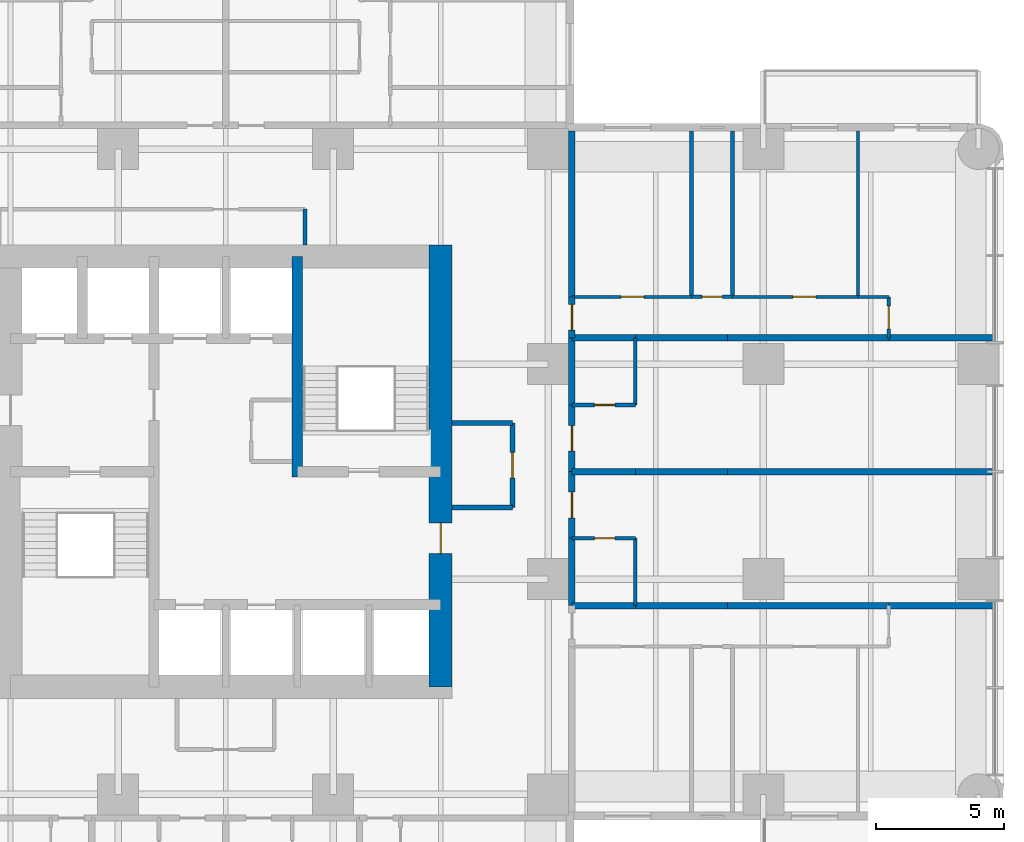
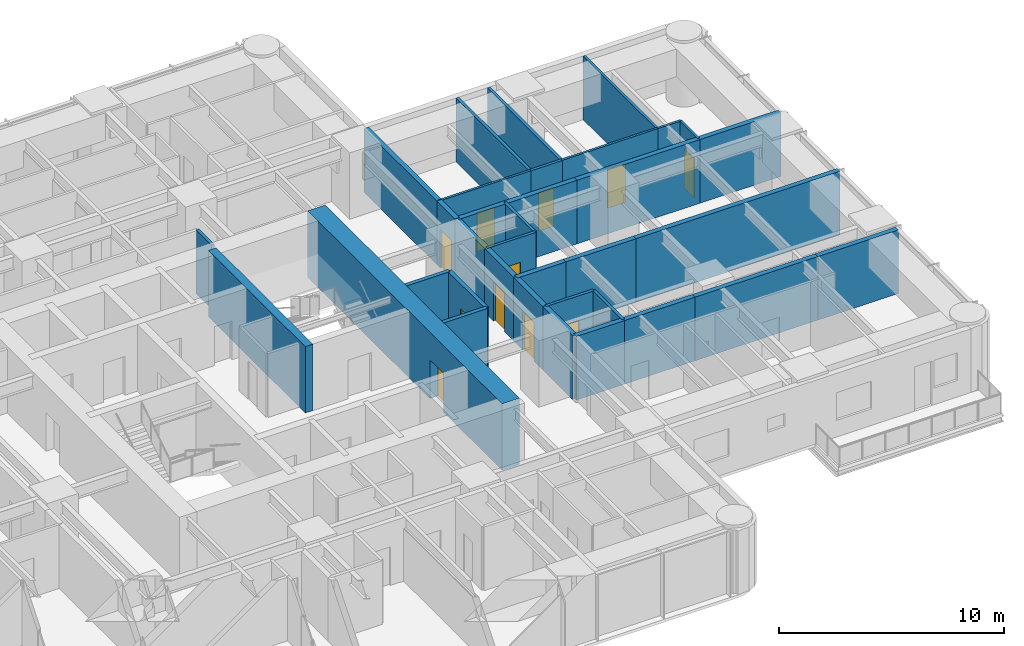
# One storey, part 10 of 14: 35 walls, 11 doors, 11 openings.
"""IFC4 building model written with IfcOpenShell, lengths in metres."""

from ifc_helpers import new_model, si_unit, direction, frame, frame_2d, origin, place, context, subcontext, project, spatial, rectangle, extrude, material, layer, layer_set, type_object, element, fill, save


model = new_model("IFC4")

# Units and contexts
model_context = context("Model", 3, precision=1e-05, world=origin(), true_north=direction((0.0, 1.0)))
body_context = subcontext(model_context, "Body", "Model", "MODEL_VIEW")
ifc_project = project(units=[si_unit("LENGTHUNIT", "METRE"), si_unit("AREAUNIT", "SQUARE_METRE"), si_unit("VOLUMEUNIT", "CUBIC_METRE"), si_unit("PLANEANGLEUNIT", "RADIAN"), si_unit("MASSUNIT", "GRAM", prefix="KILO")], contexts=[model_context])

# Site, building, storey
site_placement = place(None, origin())
site = spatial("IfcSite", under=ifc_project, at=site_placement, CompositionType="ELEMENT")
building_placement = place(site_placement, origin())
building = spatial("IfcBuilding", under=site, at=building_placement, Name="Torre Alcanfor", CompositionType="ELEMENT")
storey_placement = place(building_placement, frame((0.0, 0.0, 155.699951171875)))
storey = spatial("IfcBuildingStorey", under=building, at=storey_placement, Name="L40", CompositionType="ELEMENT", Elevation=155.699951171875)

# Wall, opening, door
ifc_material_1 = material(Name="Concrete block masonry, hollow blocks NMX-C-404 9 MPa", Category="masonry")
ifc_layer_1 = layer(ifc_material_1, 0.25)
ifc_layer_set_1 = layer_set([ifc_layer_1], Name="Apartment entrance wall 250 EI 60")
wall_type_1 = type_object("IfcWallType", Name="Apartment entrance wall 250 EI 60", PredefinedType="PARTITIONING", material=ifc_layer_set_1)
wall_1_placement = place(storey_placement, frame((42.925048828125, 32.0, 0.0), z_axis=(0.0, 0.0, 1.0), x_axis=(0.0, -1.0, 0.0)))
wall_1 = element("IfcWall", 1, at=wall_1_placement, inside=storey, type_object=wall_type_1, Name="Partition L40-CORR / L40-E1A-FOYER", PredefinedType="PARTITIONING", context=body_context, shape_type="SweptSolid", body=[
    extrude(rectangle(XDim=2.60009765625, YDim=0.25, at=frame_2d((1.300048828125, 0.0))), origin(), (0.0, 0.0, 1.0), 3.449951171875),
])
opening_1_placement = place(wall_1_placement, frame((0.800048828125, 0.0, 0.0)))
opening_1 = element("IfcOpeningElement", 2, at=opening_1_placement, cuts=wall_1, Name="Opening D-A1", PredefinedType="OPENING", context=body_context, shape_type="SweptSolid", body=[
    extrude(rectangle(XDim=1.0, YDim=2.10009765625, at=frame_2d((0.5, 1.050048828125))), frame((0.0, 0.135009765625, 0.0), z_axis=(0.0, -1.0, 0.0), x_axis=(1.0, 0.0, 0.0)), (0.0, 0.0, 1.0), 0.27001953125),
])
ifc_material_2 = material(Name="Galvanised steel sheet ASTM A653", Category="steel")
door_type_1 = type_object("IfcDoorType", Name="Apartment entrance door FD60 1000x2100", OperationType="SINGLE_SWING_LEFT", PredefinedType="DOOR", material=ifc_material_2)
door_1_placement = place(opening_1_placement, origin())
door_1 = element("IfcDoor", 3, at=door_1_placement, inside=storey, type_object=door_type_1, Name="Apartment entrance L40-E1A", OperationType="SINGLE_SWING_LEFT", OverallHeight=2.10009765625, OverallWidth=1.0, PredefinedType="DOOR", context=body_context, shape_type="SweptSolid", body=[
    extrude(rectangle(XDim=1.0, YDim=2.10009765625, at=frame_2d((0.5, 1.050048828125))), frame((0.0, 0.02490234375, 0.0), z_axis=(0.0, -1.0, 0.0), x_axis=(1.0, 0.0, 0.0)), (0.0, 0.0, 1.0), 0.050048828125),
])
fill(opening_1, door_1)

# Wall
wall_2_placement = place(storey_placement, frame((42.925048828125, 34.62890625, 0.0), z_axis=(0.0, 0.0, 1.0), x_axis=(0.0, -1.0, 0.0)))
element("IfcWall", 4, at=wall_2_placement, inside=storey, type_object=wall_type_1, Name="Partition L40-CORR / L40-E1A-BATH", PredefinedType="PARTITIONING", context=body_context, shape_type="SweptSolid", body=[
    extrude(rectangle(XDim=2.62890625, YDim=0.25, at=frame_2d((1.314453125, 0.0))), origin(), (0.0, 0.0, 1.0), 3.449951171875),
])

# Wall, opening, door
wall_3_placement = place(storey_placement, frame((42.925048828125, 36.22900390625, 0.0), z_axis=(0.0, 0.0, 1.0), x_axis=(0.0, -1.0, 0.0)))
wall_3 = element("IfcWall", 5, at=wall_3_placement, inside=storey, type_object=wall_type_1, Name="Partition L40-CORR / L40-E1B-HALL", PredefinedType="PARTITIONING", context=body_context, shape_type="SweptSolid", body=[
    extrude(rectangle(XDim=1.60009765625, YDim=0.25, at=frame_2d((0.800048828125, 0.0))), origin(), (0.0, 0.0, 1.0), 3.449951171875),
])
opening_2_placement = place(wall_3_placement, frame((0.300048828125, 0.0, 0.0)))
opening_2 = element("IfcOpeningElement", 6, at=opening_2_placement, cuts=wall_3, Name="Opening D-A1", PredefinedType="OPENING", context=body_context, shape_type="SweptSolid", body=[
    extrude(rectangle(XDim=1.0, YDim=2.10009765625, at=frame_2d((0.5, 1.050048828125))), frame((0.0, 0.135009765625, 0.0), z_axis=(0.0, -1.0, 0.0), x_axis=(1.0, 0.0, 0.0)), (0.0, 0.0, 1.0), 0.27001953125),
])
door_2_placement = place(opening_2_placement, origin())
door_2 = element("IfcDoor", 7, at=door_2_placement, inside=storey, type_object=door_type_1, Name="Apartment entrance L40-E1B", OperationType="SINGLE_SWING_LEFT", OverallHeight=2.10009765625, OverallWidth=1.0, PredefinedType="DOOR", context=body_context, shape_type="SweptSolid", body=[
    extrude(rectangle(XDim=1.0, YDim=2.10009765625, at=frame_2d((0.5, 1.050048828125))), frame((0.0, 0.02490234375, 0.0), z_axis=(0.0, -1.0, 0.0), x_axis=(1.0, 0.0, 0.0)), (0.0, 0.0, 1.0), 0.050048828125),
])
fill(opening_2, door_2)

# Wall
wall_4_placement = place(storey_placement, frame((42.925048828125, 42.699951171875, 0.0), z_axis=(0.0, 0.0, 1.0), x_axis=(0.0, -1.0, 0.0)))
element("IfcWall", 8, at=wall_4_placement, inside=storey, type_object=wall_type_1, Name="Partition L40-CORR / L40-E1B-BED2", PredefinedType="PARTITIONING", context=body_context, shape_type="SweptSolid", body=[
    extrude(rectangle(XDim=6.470947265625, YDim=0.25, at=frame_2d((3.2353515625, 0.0))), origin(), (0.0, 0.0, 1.0), 3.449951171875),
])

# Wall, opening, door
wall_5_placement = place(storey_placement, frame((42.925048828125, 29.39990234375, 0.0), z_axis=(0.0, 0.0, 1.0), x_axis=(0.0, -1.0, 0.0)))
wall_5 = element("IfcWall", 9, at=wall_5_placement, inside=storey, type_object=wall_type_1, Name="Partition L40-CORR / L40-E2A-FOYER", PredefinedType="PARTITIONING", context=body_context, shape_type="SweptSolid", body=[
    extrude(rectangle(XDim=2.599853515625, YDim=0.25, at=frame_2d((1.2998046875, 0.0))), origin(), (0.0, 0.0, 1.0), 3.449951171875),
])
opening_3_placement = place(wall_5_placement, frame((0.800048828125, 0.0, 0.0)))
opening_3 = element("IfcOpeningElement", 10, at=opening_3_placement, cuts=wall_5, Name="Opening D-A1", PredefinedType="OPENING", context=body_context, shape_type="SweptSolid", body=[
    extrude(rectangle(XDim=1.0, YDim=2.10009765625, at=frame_2d((0.5, 1.050048828125))), frame((0.0, 0.135009765625, 0.0), z_axis=(0.0, -1.0, 0.0), x_axis=(1.0, 0.0, 0.0)), (0.0, 0.0, 1.0), 0.27001953125),
])
door_3_placement = place(opening_3_placement, origin())
door_3 = element("IfcDoor", 11, at=door_3_placement, inside=storey, type_object=door_type_1, Name="Apartment entrance L40-E2A", OperationType="SINGLE_SWING_LEFT", OverallHeight=2.10009765625, OverallWidth=1.0, PredefinedType="DOOR", context=body_context, shape_type="SweptSolid", body=[
    extrude(rectangle(XDim=1.0, YDim=2.10009765625, at=frame_2d((0.5, 1.050048828125))), frame((0.0, 0.02490234375, 0.0), z_axis=(0.0, -1.0, 0.0), x_axis=(1.0, 0.0, 0.0)), (0.0, 0.0, 1.0), 0.050048828125),
])
fill(opening_3, door_3)

# Wall
wall_6_placement = place(storey_placement, frame((42.925048828125, 26.800048828125, 0.0), z_axis=(0.0, 0.0, 1.0), x_axis=(0.0, -1.0, 0.0)))
element("IfcWall", 12, at=wall_6_placement, inside=storey, type_object=wall_type_1, Name="Partition L40-CORR / L40-E2A-BATH", PredefinedType="PARTITIONING", context=body_context, shape_type="SweptSolid", body=[
    extrude(rectangle(XDim=2.629150390625, YDim=0.25, at=frame_2d((1.314453125, 0.0))), origin(), (0.0, 0.0, 1.0), 3.449951171875),
])

# Wall, opening, door
ifc_material_3 = material(Name="Gypsum board on steel studs", Category="steel")
ifc_layer_2 = layer(ifc_material_3, 0.1201171875)
ifc_layer_set_2 = layer_set([ifc_layer_2], Name="Apartment partition 120")
wall_type_2 = type_object("IfcWallType", Name="Apartment partition 120", PredefinedType="PARTITIONING", material=ifc_layer_set_2)
wall_7_placement = place(storey_placement, frame((47.60009765625, 36.22900390625, 0.0), z_axis=(0.0, 0.0, 1.0), x_axis=(-1.0, 0.0, 0.0)))
wall_7 = element("IfcWall", 13, at=wall_7_placement, inside=storey, type_object=wall_type_2, Name="Partition L40-E1B-HALL / L40-E1B-BED2", PredefinedType="PARTITIONING", context=body_context, shape_type="SweptSolid", body=[
    extrude(rectangle(XDim=4.675048828125, YDim=0.1201171875, at=frame_2d((2.33740234375, 0.0))), origin(), (0.0, 0.0, 1.0), 3.449951171875),
])
opening_4_placement = place(wall_7_placement, frame((1.85009765625, 0.0, 0.0)))
opening_4 = element("IfcOpeningElement", 14, at=opening_4_placement, cuts=wall_7, Name="Opening D-R1", PredefinedType="OPENING", context=body_context, shape_type="SweptSolid", body=[
    extrude(rectangle(XDim=0.89990234375, YDim=2.10009765625, at=frame_2d((0.449951171875, 1.050048828125))), frame((0.0, 0.070068359375, 0.0), z_axis=(0.0, -1.0, 0.0), x_axis=(1.0, 0.0, 0.0)), (0.0, 0.0, 1.0), 0.14013671875),
])
ifc_material_4 = material(Name="Timber", Category="wood")
door_type_2 = type_object("IfcDoorType", Name="Internal door 900x2100", OperationType="SINGLE_SWING_LEFT", PredefinedType="DOOR", material=ifc_material_4)
door_4_placement = place(opening_4_placement, frame((0.89990234375, 0.0, 0.0), z_axis=(0.0, 0.0, 1.0), x_axis=(-1.0, 0.0, 0.0)))
door_4 = element("IfcDoor", 15, at=door_4_placement, inside=storey, type_object=door_type_2, Name="Door L40-E1B bed2", OperationType="SINGLE_SWING_RIGHT", OverallHeight=2.10009765625, OverallWidth=0.89990234375, PredefinedType="DOOR", context=body_context, shape_type="SweptSolid", body=[
    extrude(rectangle(XDim=0.89990234375, YDim=2.10009765625, at=frame_2d((0.449951171875, 1.050048828125))), frame((0.0, 0.025146484375, 0.0), z_axis=(0.0, -1.0, 0.0), x_axis=(1.0, 0.0, 0.0)), (0.0, 0.0, 1.0), 0.050048828125),
])
fill(opening_4, door_4)

wall_8_placement = place(storey_placement, frame((54.10009765625, 36.22900390625, 0.0), z_axis=(0.0, 0.0, 1.0), x_axis=(-1.0, 0.0, 0.0)))
wall_8 = element("IfcWall", 16, at=wall_8_placement, inside=storey, type_object=wall_type_2, Name="Partition L40-E1B-HALL / L40-E1B-MASTER", PredefinedType="PARTITIONING", context=body_context, shape_type="SweptSolid", body=[
    extrude(rectangle(XDim=4.900146484375, YDim=0.1201171875, at=frame_2d((2.4501953125, 0.0))), origin(), (0.0, 0.0, 1.0), 3.449951171875),
])
opening_5_placement = place(wall_8_placement, frame((1.64990234375, 0.0, 0.0)))
opening_5 = element("IfcOpeningElement", 17, at=opening_5_placement, cuts=wall_8, Name="Opening D-R1", PredefinedType="OPENING", context=body_context, shape_type="SweptSolid", body=[
    extrude(rectangle(XDim=0.89990234375, YDim=2.10009765625, at=frame_2d((0.449951171875, 1.050048828125))), frame((0.0, 0.070068359375, 0.0), z_axis=(0.0, -1.0, 0.0), x_axis=(1.0, 0.0, 0.0)), (0.0, 0.0, 1.0), 0.14013671875),
])
door_5_placement = place(opening_5_placement, frame((0.89990234375, 0.0, 0.0), z_axis=(0.0, 0.0, 1.0), x_axis=(-1.0, 0.0, 0.0)))
door_5 = element("IfcDoor", 18, at=door_5_placement, inside=storey, type_object=door_type_2, Name="Door L40-E1B master", OperationType="SINGLE_SWING_RIGHT", OverallHeight=2.10009765625, OverallWidth=0.89990234375, PredefinedType="DOOR", context=body_context, shape_type="SweptSolid", body=[
    extrude(rectangle(XDim=0.89990234375, YDim=2.10009765625, at=frame_2d((0.449951171875, 1.050048828125))), frame((0.0, 0.025146484375, 0.0), z_axis=(0.0, -1.0, 0.0), x_axis=(1.0, 0.0, 0.0)), (0.0, 0.0, 1.0), 0.050048828125),
])
fill(opening_5, door_5)

# Wall
wall_9_placement = place(storey_placement, frame((55.300048828125, 36.22900390625, 0.0), z_axis=(0.0, 0.0, 1.0), x_axis=(-1.0, 0.0, 0.0)))
element("IfcWall", 19, at=wall_9_placement, inside=storey, type_object=wall_type_2, Name="Partition L40-E1B-HALL / L40-E1B-KITCHEN", PredefinedType="PARTITIONING", context=body_context, shape_type="SweptSolid", body=[
    extrude(rectangle(XDim=1.199951171875, YDim=0.1201171875, at=frame_2d((0.60009765625, 0.0))), origin(), (0.0, 0.0, 1.0), 3.449951171875),
])

# Wall, opening, door
wall_10_placement = place(storey_placement, frame((55.300048828125, 34.62890625, 0.0), z_axis=(0.0, 0.0, 1.0), x_axis=(0.0, 1.0, 0.0)))
wall_10 = element("IfcWall", 20, at=wall_10_placement, inside=storey, type_object=wall_type_2, Name="Partition L40-E1B-HALL / L40-E1B-LIVING", PredefinedType="PARTITIONING", context=body_context, shape_type="SweptSolid", body=[
    extrude(rectangle(XDim=1.60009765625, YDim=0.1201171875, at=frame_2d((0.800048828125, 0.0))), origin(), (0.0, 0.0, 1.0), 3.449951171875),
])
opening_6_placement = place(wall_10_placement, frame((0.35009765625, 0.0, 0.0)))
opening_6 = element("IfcOpeningElement", 21, at=opening_6_placement, cuts=wall_10, Name="Opening D-R1", PredefinedType="OPENING", context=body_context, shape_type="SweptSolid", body=[
    extrude(rectangle(XDim=0.89990234375, YDim=2.10009765625, at=frame_2d((0.449951171875, 1.050048828125))), frame((0.0, 0.070068359375, 0.0), z_axis=(0.0, -1.0, 0.0), x_axis=(1.0, 0.0, 0.0)), (0.0, 0.0, 1.0), 0.14013671875),
])
door_6_placement = place(opening_6_placement, frame((0.89990234375, 0.0, 0.0), z_axis=(0.0, 0.0, 1.0), x_axis=(-1.0, 0.0, 0.0)))
door_6 = element("IfcDoor", 22, at=door_6_placement, inside=storey, type_object=door_type_2, Name="Door L40-E1B living", OperationType="SINGLE_SWING_RIGHT", OverallHeight=2.10009765625, OverallWidth=0.89990234375, PredefinedType="DOOR", context=body_context, shape_type="SweptSolid", body=[
    extrude(rectangle(XDim=0.89990234375, YDim=2.10009765625, at=frame_2d((0.449951171875, 1.050048828125))), frame((0.0, 0.025146484375, 0.0), z_axis=(0.0, -1.0, 0.0), x_axis=(1.0, 0.0, 0.0)), (0.0, 0.0, 1.0), 0.050048828125),
])
fill(opening_6, door_6)

# Walls
wall_11_placement = place(storey_placement, frame((54.10009765625, 36.22900390625, 0.0), z_axis=(0.0, 0.0, 1.0), x_axis=(0.0, 1.0, 0.0)))
element("IfcWall", 23, at=wall_11_placement, inside=storey, type_object=wall_type_2, Name="Partition L40-E1B-MASTER / L40-E1B-KITCHEN", PredefinedType="PARTITIONING", context=body_context, shape_type="SweptSolid", body=[
    extrude(rectangle(XDim=6.470947265625, YDim=0.1201171875, at=frame_2d((3.2353515625, 0.0))), origin(), (0.0, 0.0, 1.0), 3.449951171875),
])
ifc_material_5 = material(Name="Concrete f'c 70 MPa", Category="concrete")
ifc_layer_3 = layer(ifc_material_5, 0.39990234375)
ifc_layer_set_3 = layer_set([ifc_layer_3], Name="Core inner wall 400 f'c70")
wall_type_3 = type_object("IfcWallType", Name="Core inner wall 400 f'c70", PredefinedType="SHEAR", material=ifc_layer_set_3)
wall_12_placement = place(storey_placement, frame((32.199951171875, 29.199951171875, 0.0), z_axis=(0.0, 0.0, 1.0), x_axis=(0.0, 1.0, 0.0)))
element("IfcWall", 24, at=wall_12_placement, inside=storey, type_object=wall_type_3, Name="Core wall X322N L40", PredefinedType="SHEAR", context=body_context, shape_type="SweptSolid", body=[
    extrude(rectangle(XDim=8.60009765625, YDim=0.39990234375, at=frame_2d((4.300048828125, 0.0))), origin(), (0.0, 0.0, 1.0), 3.60009765625),
])

# Wall, opening, door
ifc_material_6 = material(Name="Concrete f'c 70 MPa", Category="concrete")
ifc_layer_4 = layer(ifc_material_6, 0.89990234375)
ifc_layer_set_4 = layer_set([ifc_layer_4], Name="Core wall 900 f'c70")
wall_type_4 = type_object("IfcWallType", Name="Core wall 900 f'c70", PredefinedType="SHEAR", material=ifc_layer_set_4)
wall_13_placement = place(storey_placement, frame((37.800048828125, 21.0, 0.0), z_axis=(0.0, 0.0, 1.0), x_axis=(0.0, 1.0, 0.0)))
wall_13 = element("IfcWall", 25, at=wall_13_placement, inside=storey, type_object=wall_type_4, Name="Core wall OUT-E L40", PredefinedType="SHEAR", context=body_context, shape_type="SweptSolid", body=[
    extrude(rectangle(XDim=17.25, YDim=0.89990234375, at=frame_2d((8.625, 0.0))), origin(), (0.0, 0.0, 1.0), 3.60009765625),
])
opening_7_placement = place(wall_13_placement, frame((5.199951171875, 0.0, 0.0)))
opening_7 = element("IfcOpeningElement", 26, at=opening_7_placement, cuts=wall_13, Name="Opening D-L1", PredefinedType="OPENING", context=body_context, shape_type="SweptSolid", body=[
    extrude(rectangle(XDim=1.199951171875, YDim=2.10009765625, at=frame_2d((0.60009765625, 1.050048828125))), frame((0.0, 0.4599609375, 0.0), z_axis=(0.0, -1.0, 0.0), x_axis=(1.0, 0.0, 0.0)), (0.0, 0.0, 1.0), 0.919921875),
])
ifc_material_7 = material(Name="Galvanised steel sheet ASTM A653", Category="steel")
door_type_3 = type_object("IfcDoorType", Name="Lobby door FD120 1200x2100", OperationType="SINGLE_SWING_LEFT", PredefinedType="DOOR", material=ifc_material_7)
door_7_placement = place(opening_7_placement, origin())
door_7 = element("IfcDoor", 27, at=door_7_placement, inside=storey, type_object=door_type_3, Name="Lift lobby entrance door L40", OperationType="SINGLE_SWING_LEFT", OverallHeight=2.10009765625, OverallWidth=1.199951171875, PredefinedType="DOOR", context=body_context, shape_type="SweptSolid", body=[
    extrude(rectangle(XDim=1.199951171875, YDim=2.10009765625, at=frame_2d((0.60009765625, 1.050048828125))), frame((0.0, 0.02490234375, 0.0), z_axis=(0.0, -1.0, 0.0), x_axis=(1.0, 0.0, 0.0)), (0.0, 0.0, 1.0), 0.050048828125),
])
fill(opening_7, door_7)

# Walls
ifc_material_8 = material(Name="Concrete block masonry, hollow blocks NMX-C-404 9 MPa", Category="masonry")
ifc_layer_5 = layer(ifc_material_8, 0.25)
ifc_layer_set_5 = layer_set([ifc_layer_5], Name="Party wall 250 EI 60")
wall_type_5 = type_object("IfcWallType", Name="Party wall 250 EI 60", PredefinedType="PARTITIONING", material=ifc_layer_set_5)
for number, where, z_axis, x_axis, name in (
    (28, (42.925048828125, 29.39990234375, 0.0), (0.0, 0.0, 1.0), (1.0, 0.0, 0.0), "Partition L40-E1A-FOYER / L40-E2A-FOYER"),
    (29, (45.39990234375, 34.62890625, 0.0), (0.0, 0.0, 1.0), (-1.0, 0.0, 0.0), "Partition L40-E1A-BATH / L40-E1B-HALL"),
):
    element("IfcWall", number, at=place(storey_placement, frame(where, z_axis=z_axis, x_axis=x_axis)), inside=storey, type_object=wall_type_5, Name=name, PredefinedType="PARTITIONING", context=body_context, shape_type="SweptSolid", body=[
        extrude(rectangle(XDim=2.474853515625, YDim=0.25, at=frame_2d((1.2373046875, 0.0))), origin(), (0.0, 0.0, 1.0), 3.449951171875),
    ])
for number, where, z_axis, x_axis, name in (
    (30, (49.0, 34.62890625, 0.0), (0.0, 0.0, 1.0), (-1.0, 0.0, 0.0), "Partition L40-E1A-KITCHEN / L40-E1B-HALL"),
    (31, (45.39990234375, 29.39990234375, 0.0), (0.0, 0.0, 1.0), (1.0, 0.0, 0.0), "Partition L40-E1A-KITCHEN / L40-E2A-KITCHEN"),
):
    element("IfcWall", number, at=place(storey_placement, frame(where, z_axis=z_axis, x_axis=x_axis)), inside=storey, type_object=wall_type_5, Name=name, PredefinedType="PARTITIONING", context=body_context, shape_type="SweptSolid", body=[
        extrude(rectangle(XDim=3.60009765625, YDim=0.25, at=frame_2d((1.800048828125, 0.0))), origin(), (0.0, 0.0, 1.0), 3.449951171875),
    ])
wall_14_placement = place(storey_placement, frame((55.300048828125, 34.62890625, 0.0), z_axis=(0.0, 0.0, 1.0), x_axis=(-1.0, 0.0, 0.0)))
element("IfcWall", 32, at=wall_14_placement, inside=storey, type_object=wall_type_5, Name="Partition L40-E1A-STUDIO / L40-E1B-HALL", PredefinedType="PARTITIONING", context=body_context, shape_type="SweptSolid", body=[
    extrude(rectangle(XDim=6.300048828125, YDim=0.25, at=frame_2d((3.14990234375, 0.0))), origin(), (0.0, 0.0, 1.0), 3.449951171875),
])
wall_15_placement = place(storey_placement, frame((59.449951171875, 34.62890625, 0.0), z_axis=(0.0, 0.0, 1.0), x_axis=(-1.0, 0.0, 0.0)))
element("IfcWall", 33, at=wall_15_placement, inside=storey, type_object=wall_type_5, Name="Partition L40-E1A-STUDIO / L40-E1B-LIVING", PredefinedType="PARTITIONING", context=body_context, shape_type="SweptSolid", body=[
    extrude(rectangle(XDim=4.14990234375, YDim=0.25, at=frame_2d((2.074951171875, 0.0))), origin(), (0.0, 0.0, 1.0), 3.449951171875),
])
wall_16_placement = place(storey_placement, frame((49.0, 29.39990234375, 0.0), z_axis=(0.0, 0.0, 1.0), x_axis=(1.0, 0.0, 0.0)))
element("IfcWall", 34, at=wall_16_placement, inside=storey, type_object=wall_type_5, Name="Partition L40-E1A-STUDIO / L40-E2A-STUDIO", PredefinedType="PARTITIONING", context=body_context, shape_type="SweptSolid", body=[
    extrude(rectangle(XDim=10.449951171875, YDim=0.25, at=frame_2d((5.22509765625, 0.0))), origin(), (0.0, 0.0, 1.0), 3.449951171875),
])
wall_17_placement = place(storey_placement, frame((45.39990234375, 24.1708984375, 0.0), z_axis=(0.0, 0.0, 1.0), x_axis=(-1.0, 0.0, 0.0)))
element("IfcWall", 35, at=wall_17_placement, inside=storey, type_object=wall_type_5, Name="Partition L40-E2A-BATH / L40-E2B-HALL", PredefinedType="PARTITIONING", context=body_context, shape_type="SweptSolid", body=[
    extrude(rectangle(XDim=2.474853515625, YDim=0.25, at=frame_2d((1.2373046875, 0.0))), origin(), (0.0, 0.0, 1.0), 3.449951171875),
])
wall_18_placement = place(storey_placement, frame((49.0, 24.1708984375, 0.0), z_axis=(0.0, 0.0, 1.0), x_axis=(-1.0, 0.0, 0.0)))
element("IfcWall", 36, at=wall_18_placement, inside=storey, type_object=wall_type_5, Name="Partition L40-E2A-KITCHEN / L40-E2B-HALL", PredefinedType="PARTITIONING", context=body_context, shape_type="SweptSolid", body=[
    extrude(rectangle(XDim=3.60009765625, YDim=0.25, at=frame_2d((1.800048828125, 0.0))), origin(), (0.0, 0.0, 1.0), 3.449951171875),
])
wall_19_placement = place(storey_placement, frame((55.300048828125, 24.1708984375, 0.0), z_axis=(0.0, 0.0, 1.0), x_axis=(-1.0, 0.0, 0.0)))
element("IfcWall", 37, at=wall_19_placement, inside=storey, type_object=wall_type_5, Name="Partition L40-E2A-STUDIO / L40-E2B-HALL", PredefinedType="PARTITIONING", context=body_context, shape_type="SweptSolid", body=[
    extrude(rectangle(XDim=6.300048828125, YDim=0.25, at=frame_2d((3.14990234375, 0.0))), origin(), (0.0, 0.0, 1.0), 3.449951171875),
])
wall_20_placement = place(storey_placement, frame((59.449951171875, 24.1708984375, 0.0), z_axis=(0.0, 0.0, 1.0), x_axis=(-1.0, 0.0, 0.0)))
element("IfcWall", 38, at=wall_20_placement, inside=storey, type_object=wall_type_5, Name="Partition L40-E2A-STUDIO / L40-E2B-LIVING", PredefinedType="PARTITIONING", context=body_context, shape_type="SweptSolid", body=[
    extrude(rectangle(XDim=4.14990234375, YDim=0.25, at=frame_2d((2.074951171875, 0.0))), origin(), (0.0, 0.0, 1.0), 3.449951171875),
])
ifc_material_9 = material(Name="Concrete block masonry, hollow blocks NMX-C-404 9 MPa", Category="masonry")
ifc_layer_6 = layer(ifc_material_9, 0.199951171875)
ifc_layer_set_6 = layer_set([ifc_layer_6], Name="Plant room wall 200 EI 60")
wall_type_6 = type_object("IfcWallType", Name="Plant room wall 200 EI 60", PredefinedType="PARTITIONING", material=ifc_layer_set_6)
wall_21_placement = place(storey_placement, frame((38.25, 28.0, 0.0), z_axis=(0.0, 0.0, 1.0), x_axis=(1.0, 0.0, 0.0)))
element("IfcWall", 39, at=wall_21_placement, inside=storey, type_object=wall_type_6, Name="Partition L40-CORR / L40-G02", PredefinedType="PARTITIONING", context=body_context, shape_type="SweptSolid", body=[
    extrude(rectangle(XDim=2.35009765625, YDim=0.199951171875, at=frame_2d((1.175048828125, 0.0))), origin(), (0.0, 0.0, 1.0), 3.449951171875),
])

# Wall, opening, door
wall_22_placement = place(storey_placement, frame((40.60009765625, 28.0, 0.0), z_axis=(0.0, 0.0, 1.0), x_axis=(0.0, 1.0, 0.0)))
wall_22 = element("IfcWall", 40, at=wall_22_placement, inside=storey, type_object=wall_type_6, Name="Partition L40-CORR / L40-G02", PredefinedType="PARTITIONING", context=body_context, shape_type="SweptSolid", body=[
    extrude(rectangle(XDim=3.300048828125, YDim=0.199951171875, at=frame_2d((1.64990234375, 0.0))), origin(), (0.0, 0.0, 1.0), 3.449951171875),
])
opening_8_placement = place(wall_22_placement, frame((1.14990234375, 0.0, 0.0)))
opening_8 = element("IfcOpeningElement", 41, at=opening_8_placement, cuts=wall_22, Name="Opening D-K1", PredefinedType="OPENING", context=body_context, shape_type="SweptSolid", body=[
    extrude(rectangle(XDim=1.0, YDim=2.10009765625, at=frame_2d((0.5, 1.050048828125))), frame((0.0, 0.10986328125, 0.0), z_axis=(0.0, -1.0, 0.0), x_axis=(1.0, 0.0, 0.0)), (0.0, 0.0, 1.0), 0.219970703125),
])
ifc_material_10 = material(Name="Galvanised steel sheet ASTM A653", Category="steel")
door_type_4 = type_object("IfcDoorType", Name="Core room door FD60 1000x2100", OperationType="SINGLE_SWING_LEFT", PredefinedType="DOOR", material=ifc_material_10)
door_8_placement = place(opening_8_placement, origin())
door_8 = element("IfcDoor", 42, at=door_8_placement, inside=storey, type_object=door_type_4, Name="Door L40-G02 refuse and recycling store", OperationType="SINGLE_SWING_LEFT", OverallHeight=2.10009765625, OverallWidth=1.0, PredefinedType="DOOR", context=body_context, shape_type="SweptSolid", body=[
    extrude(rectangle(XDim=1.0, YDim=2.10009765625, at=frame_2d((0.5, 1.050048828125))), frame((0.0, 0.02490234375, 0.0), z_axis=(0.0, -1.0, 0.0), x_axis=(1.0, 0.0, 0.0)), (0.0, 0.0, 1.0), 0.050048828125),
])
fill(opening_8, door_8)

# Walls
wall_23_placement = place(storey_placement, frame((40.60009765625, 31.300048828125, 0.0), z_axis=(0.0, 0.0, 1.0), x_axis=(-1.0, 0.0, 0.0)))
element("IfcWall", 43, at=wall_23_placement, inside=storey, type_object=wall_type_6, Name="Partition L40-CORR / L40-G02", PredefinedType="PARTITIONING", context=body_context, shape_type="SweptSolid", body=[
    extrude(rectangle(XDim=2.35009765625, YDim=0.199951171875, at=frame_2d((1.175048828125, 0.0))), origin(), (0.0, 0.0, 1.0), 3.449951171875),
])
ifc_material_11 = material(Name="Concrete block masonry, hollow blocks NMX-C-404 9 MPa", Category="masonry")
ifc_layer_7 = layer(ifc_material_11, 0.14990234375)
ifc_layer_set_7 = layer_set([ifc_layer_7], Name="Residents' room partition 150")
wall_type_7 = type_object("IfcWallType", Name="Residents' room partition 150", PredefinedType="PARTITIONING", material=ifc_layer_set_7)
wall_24_placement = place(storey_placement, frame((32.5, 38.25, 0.0), z_axis=(0.0, 0.0, 1.0), x_axis=(0.0, 1.0, 0.0)))
element("IfcWall", 44, at=wall_24_placement, inside=storey, type_object=wall_type_7, Name="Partition L40-CORR / L40-G01", PredefinedType="PARTITIONING", context=body_context, shape_type="SweptSolid", body=[
    extrude(rectangle(XDim=1.39990234375, YDim=0.14990234375, at=frame_2d((0.699951171875, 0.0))), origin(), (0.0, 0.0, 1.0), 3.449951171875),
])

# Wall, opening, door
ifc_material_12 = material(Name="Cement board on steel studs", Category="steel")
ifc_layer_8 = layer(ifc_material_12, 0.14990234375)
ifc_layer_set_8 = layer_set([ifc_layer_8], Name="Wet area partition 150")
wall_type_8 = type_object("IfcWallType", Name="Wet area partition 150", PredefinedType="PARTITIONING", material=ifc_layer_set_8)
wall_25_placement = place(storey_placement, frame((45.39990234375, 32.0, 0.0), z_axis=(0.0, 0.0, 1.0), x_axis=(-1.0, 0.0, 0.0)))
wall_25 = element("IfcWall", 45, at=wall_25_placement, inside=storey, type_object=wall_type_8, Name="Partition L40-E1A-FOYER / L40-E1A-BATH", PredefinedType="PARTITIONING", context=body_context, shape_type="SweptSolid", body=[
    extrude(rectangle(XDim=2.474853515625, YDim=0.14990234375, at=frame_2d((1.2373046875, 0.0))), origin(), (0.0, 0.0, 1.0), 3.449951171875),
])
opening_9_placement = place(wall_25_placement, frame((0.800048828125, 0.0, 0.0)))
opening_9 = element("IfcOpeningElement", 46, at=opening_9_placement, cuts=wall_25, Name="Opening D-R2", PredefinedType="OPENING", context=body_context, shape_type="SweptSolid", body=[
    extrude(rectangle(XDim=0.800048828125, YDim=2.10009765625, at=frame_2d((0.39990234375, 1.050048828125))), frame((0.0, 0.0849609375, 0.0), z_axis=(0.0, -1.0, 0.0), x_axis=(1.0, 0.0, 0.0)), (0.0, 0.0, 1.0), 0.169921875),
])
ifc_material_13 = material(Name="Timber", Category="wood")
door_type_5 = type_object("IfcDoorType", Name="Bathroom door 800x2100", OperationType="SINGLE_SWING_LEFT", PredefinedType="DOOR", material=ifc_material_13)
door_9_placement = place(opening_9_placement, frame((0.800048828125, 0.0, 0.0), z_axis=(0.0, 0.0, 1.0), x_axis=(-1.0, 0.0, 0.0)))
door_9 = element("IfcDoor", 47, at=door_9_placement, inside=storey, type_object=door_type_5, Name="Door L40-E1A bath", OperationType="SINGLE_SWING_RIGHT", OverallHeight=2.10009765625, OverallWidth=0.800048828125, PredefinedType="DOOR", context=body_context, shape_type="SweptSolid", body=[
    extrude(rectangle(XDim=0.800048828125, YDim=2.10009765625, at=frame_2d((0.400146484375, 1.050048828125))), frame((0.0, 0.025146484375, 0.0), z_axis=(0.0, -1.0, 0.0), x_axis=(1.0, 0.0, 0.0)), (0.0, 0.0, 1.0), 0.050048828125),
])
fill(opening_9, door_9)

# Wall
wall_26_placement = place(storey_placement, frame((45.39990234375, 32.0, 0.0), z_axis=(0.0, 0.0, 1.0), x_axis=(0.0, 1.0, 0.0)))
element("IfcWall", 48, at=wall_26_placement, inside=storey, type_object=wall_type_8, Name="Partition L40-E1A-BATH / L40-E1A-KITCHEN", PredefinedType="PARTITIONING", context=body_context, shape_type="SweptSolid", body=[
    extrude(rectangle(XDim=2.62890625, YDim=0.14990234375, at=frame_2d((1.314453125, 0.0))), origin(), (0.0, 0.0, 1.0), 3.449951171875),
])

# Wall, opening, door
wall_27_placement = place(storey_placement, frame((49.199951171875, 36.22900390625, 0.0), z_axis=(0.0, 0.0, 1.0), x_axis=(-1.0, 0.0, 0.0)))
wall_27 = element("IfcWall", 49, at=wall_27_placement, inside=storey, type_object=wall_type_8, Name="Partition L40-E1B-HALL / L40-E1B-BATH", PredefinedType="PARTITIONING", context=body_context, shape_type="SweptSolid", body=[
    extrude(rectangle(XDim=1.599853515625, YDim=0.14990234375, at=frame_2d((0.7998046875, 0.0))), origin(), (0.0, 0.0, 1.0), 3.449951171875),
])
opening_10_placement = place(wall_27_placement, frame((0.39990234375, 0.0, 0.0)))
opening_10 = element("IfcOpeningElement", 50, at=opening_10_placement, cuts=wall_27, Name="Opening D-R2", PredefinedType="OPENING", context=body_context, shape_type="SweptSolid", body=[
    extrude(rectangle(XDim=0.800048828125, YDim=2.10009765625, at=frame_2d((0.39990234375, 1.050048828125))), frame((0.0, 0.0849609375, 0.0), z_axis=(0.0, -1.0, 0.0), x_axis=(1.0, 0.0, 0.0)), (0.0, 0.0, 1.0), 0.169921875),
])
door_10_placement = place(opening_10_placement, frame((0.800048828125, 0.0, 0.0), z_axis=(0.0, 0.0, 1.0), x_axis=(-1.0, 0.0, 0.0)))
door_10 = element("IfcDoor", 51, at=door_10_placement, inside=storey, type_object=door_type_5, Name="Door L40-E1B bath", OperationType="SINGLE_SWING_RIGHT", OverallHeight=2.10009765625, OverallWidth=0.800048828125, PredefinedType="DOOR", context=body_context, shape_type="SweptSolid", body=[
    extrude(rectangle(XDim=0.800048828125, YDim=2.10009765625, at=frame_2d((0.400146484375, 1.050048828125))), frame((0.0, 0.025146484375, 0.0), z_axis=(0.0, -1.0, 0.0), x_axis=(1.0, 0.0, 0.0)), (0.0, 0.0, 1.0), 0.050048828125),
])
fill(opening_10, door_10)

# Walls
for number, where, z_axis, x_axis, name in (
    (52, (47.60009765625, 36.22900390625, 0.0), (0.0, 0.0, 1.0), (0.0, 1.0, 0.0), "Partition L40-E1B-BED2 / L40-E1B-BATH"),
    (53, (49.199951171875, 36.22900390625, 0.0), (0.0, 0.0, 1.0), (0.0, 1.0, 0.0), "Partition L40-E1B-BATH / L40-E1B-MASTER"),
):
    element("IfcWall", number, at=place(storey_placement, frame(where, z_axis=z_axis, x_axis=x_axis)), inside=storey, type_object=wall_type_8, Name=name, PredefinedType="PARTITIONING", context=body_context, shape_type="SweptSolid", body=[
        extrude(rectangle(XDim=6.470947265625, YDim=0.14990234375, at=frame_2d((3.2353515625, 0.0))), origin(), (0.0, 0.0, 1.0), 3.449951171875),
    ])

# Wall, opening, door
wall_28_placement = place(storey_placement, frame((45.39990234375, 26.800048828125, 0.0), z_axis=(0.0, 0.0, 1.0), x_axis=(-1.0, 0.0, 0.0)))
wall_28 = element("IfcWall", 54, at=wall_28_placement, inside=storey, type_object=wall_type_8, Name="Partition L40-E2A-FOYER / L40-E2A-BATH", PredefinedType="PARTITIONING", context=body_context, shape_type="SweptSolid", body=[
    extrude(rectangle(XDim=2.474853515625, YDim=0.14990234375, at=frame_2d((1.2373046875, 0.0))), origin(), (0.0, 0.0, 1.0), 3.449951171875),
])
opening_11_placement = place(wall_28_placement, frame((0.800048828125, 0.0, 0.0)))
opening_11 = element("IfcOpeningElement", 55, at=opening_11_placement, cuts=wall_28, Name="Opening D-R2", PredefinedType="OPENING", context=body_context, shape_type="SweptSolid", body=[
    extrude(rectangle(XDim=0.800048828125, YDim=2.10009765625, at=frame_2d((0.39990234375, 1.050048828125))), frame((0.0, 0.0849609375, 0.0), z_axis=(0.0, -1.0, 0.0), x_axis=(1.0, 0.0, 0.0)), (0.0, 0.0, 1.0), 0.169921875),
])
door_11_placement = place(opening_11_placement, origin())
door_11 = element("IfcDoor", 56, at=door_11_placement, inside=storey, type_object=door_type_5, Name="Door L40-E2A bath", OperationType="SINGLE_SWING_LEFT", OverallHeight=2.10009765625, OverallWidth=0.800048828125, PredefinedType="DOOR", context=body_context, shape_type="SweptSolid", body=[
    extrude(rectangle(XDim=0.800048828125, YDim=2.10009765625, at=frame_2d((0.39990234375, 1.050048828125))), frame((0.0, 0.02490234375, 0.0), z_axis=(0.0, -1.0, 0.0), x_axis=(1.0, 0.0, 0.0)), (0.0, 0.0, 1.0), 0.050048828125),
])
fill(opening_11, door_11)

# Wall
wall_29_placement = place(storey_placement, frame((45.39990234375, 26.800048828125, 0.0), z_axis=(0.0, 0.0, 1.0), x_axis=(0.0, -1.0, 0.0)))
element("IfcWall", 57, at=wall_29_placement, inside=storey, type_object=wall_type_8, Name="Partition L40-E2A-BATH / L40-E2A-KITCHEN", PredefinedType="PARTITIONING", context=body_context, shape_type="SweptSolid", body=[
    extrude(rectangle(XDim=2.629150390625, YDim=0.14990234375, at=frame_2d((1.314453125, 0.0))), origin(), (0.0, 0.0, 1.0), 3.449951171875),
])

save(model, "model.ifc")
